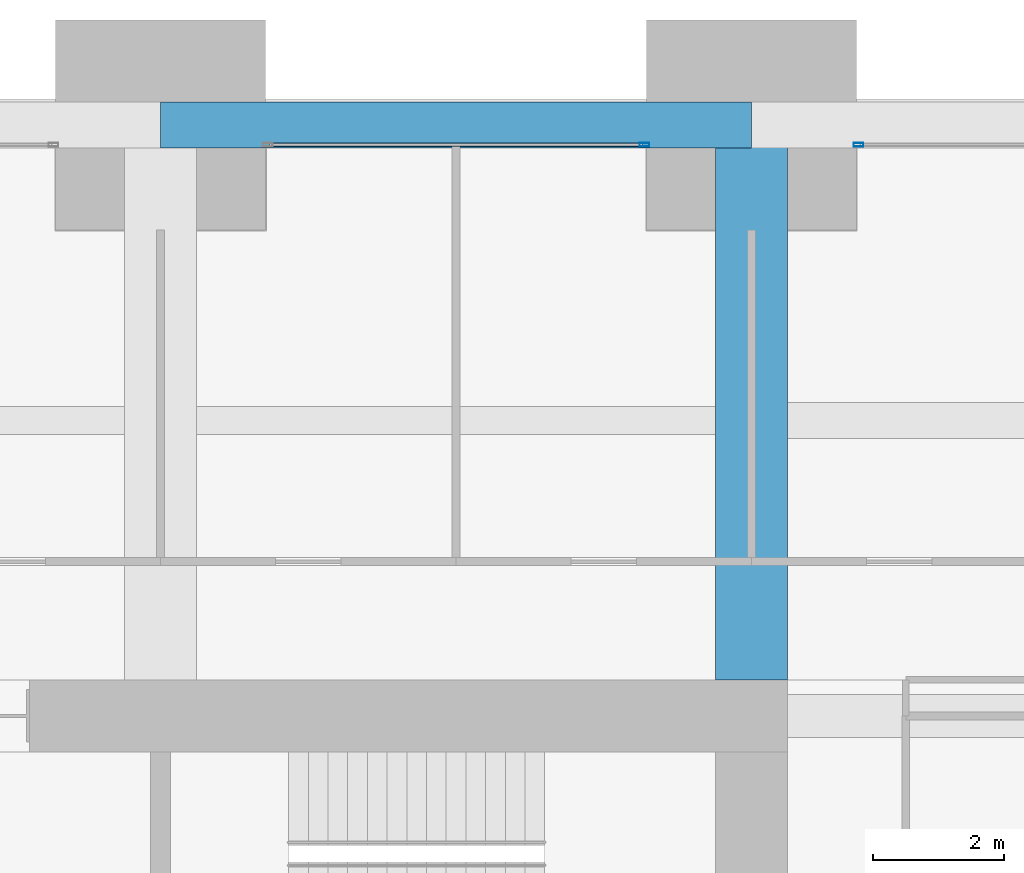
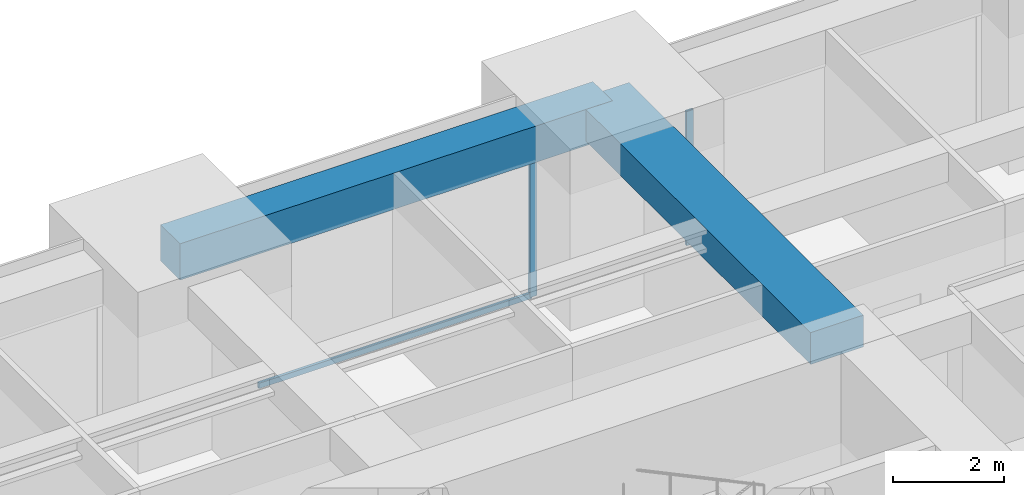
# One storey, part 31 of 41: 3 members, 2 beams, 2 elements without a shape of their own.
"""IFC4 building model written with IfcOpenShell, lengths in metres."""

from ifc_helpers import new_model, si_unit, direction, frame, origin, origin_2d, place, context, subcontext, project, spatial, rectangle, hollow_rectangle, extrude, material, material_profile, profile_set, type_object, element, aggregate, save


model = new_model("IFC4")

# Units and contexts
model_context = context("Model", 3, precision=1e-05, world=origin(), true_north=direction((0.0, 1.0)))
body_context = subcontext(model_context, "Body", "Model", "MODEL_VIEW")
ifc_project = project(units=[si_unit("LENGTHUNIT", "METRE"), si_unit("AREAUNIT", "SQUARE_METRE"), si_unit("VOLUMEUNIT", "CUBIC_METRE"), si_unit("PLANEANGLEUNIT", "RADIAN"), si_unit("MASSUNIT", "GRAM", prefix="KILO")], contexts=[model_context])

# Site, building, storey
site_placement = place(None, origin())
site = spatial("IfcSite", under=ifc_project, at=site_placement, CompositionType="ELEMENT")
building_placement = place(site_placement, origin())
building = spatial("IfcBuilding", under=site, at=building_placement, Name="Zorevar Civic Tower", CompositionType="ELEMENT")
storey_placement = place(building_placement, frame((0.0, 0.0, 89.0)))
storey = spatial("IfcBuildingStorey", under=building, at=storey_placement, Name="L21", CompositionType="ELEMENT", Elevation=89.0)

# Beam
ifc_material_1 = material(Name="Concrete C50/60", Category="concrete")
ifc_material_profile_1 = material_profile(ifc_material_1, rectangle(XDim=1.10009765625, YDim=0.699951171875, at=origin_2d()), Name="RC 1100x700")
ifc_profile_set_1 = profile_set([ifc_material_profile_1], Name="Concrete C50/60")
beam_type_1 = type_object("IfcBeamType", Name="Beam RC 1100x700", PredefinedType="BEAM", material=ifc_profile_set_1)
beam_1_placement = place(storey_placement, frame((45.0, 36.550048828125, 3.39990234375), z_axis=(0.0, 1.0, 0.0), x_axis=(-1.0, 0.0, 0.0)))
element("IfcBeam", 1, at=beam_1_placement, inside=storey, type_object=beam_type_1, Name="Girder L22", PredefinedType="BEAM", context=body_context, shape_type="SweptSolid", body=[
    extrude(rectangle(XDim=1.10009765625, YDim=0.699951171875, at=origin_2d()), origin(), (0.0, 0.0, 1.0), 8.449951171875),
])

# Curtain wall, member
ifc_material_2 = material(Name="Dark grey solar-control glass in black aluminium frame", Category="aluminium")
curtain_wall_type = type_object("IfcCurtainWallType", Name="Curtain wall CW3 mid zone", PredefinedType="NOTDEFINED", material=ifc_material_2)
curtain_wall_1_placement = place(storey_placement, origin())
curtain_wall_1 = element("IfcCurtainWall", 2, at=curtain_wall_1_placement, inside=storey, type_object=curtain_wall_type, Name="CW3 L21", PredefinedType="NOTDEFINED")
ifc_material_3 = material(Name="Aluminium, black anodised", Category="aluminium")
ifc_material_profile_2 = material_profile(ifc_material_3, hollow_rectangle(XDim=0.06005859375, YDim=0.14990234375, WallThickness=0.00390625, at=origin_2d()), Name="AL 150x60x4")
ifc_profile_set_2 = profile_set([ifc_material_profile_2], Name="Aluminium, black anodised")
member_type_1 = type_object("IfcMemberType", Name="CW3 mullion AL 150x60x4", PredefinedType="MULLION", material=ifc_profile_set_2)
member_1_placement = place(storey_placement, frame((43.3701171875, 44.699951171875, 0.0), z_axis=(0.0, 0.0, 1.0), x_axis=(0.0, 1.0, 0.0)))
member_1 = element("IfcMember", 3, at=member_1_placement, type_object=member_type_1, Name="CW3 mullion 2", PredefinedType="MULLION", context=body_context, shape_type="SweptSolid", body=[
    extrude(hollow_rectangle(XDim=0.06005859375, YDim=0.14990234375, WallThickness=0.00390625, at=origin_2d()), origin(), (0.0, 0.0, 1.0), 2.949951171875),
])

curtain_wall_2_placement = place(storey_placement, origin())
curtain_wall_2 = element("IfcCurtainWall", 4, at=curtain_wall_2_placement, inside=storey, type_object=curtain_wall_type, Name="CW3 L21", PredefinedType="NOTDEFINED")
member_2_placement = place(storey_placement, frame((46.6298828125, 44.699951171875, 0.0), z_axis=(0.0, 0.0, 1.0), x_axis=(0.0, 1.0, 0.0)))
member_2 = element("IfcMember", 5, at=member_2_placement, type_object=member_type_1, Name="CW3 mullion 1", PredefinedType="MULLION", context=body_context, shape_type="SweptSolid", body=[
    extrude(hollow_rectangle(XDim=0.06005859375, YDim=0.14990234375, WallThickness=0.00390625, at=origin_2d()), origin(), (0.0, 0.0, 1.0), 2.949951171875),
])
aggregate(curtain_wall_2, [member_2])

# Member
ifc_material_4 = material(Name="Aluminium, black anodised", Category="aluminium")
ifc_material_profile_3 = material_profile(ifc_material_4, hollow_rectangle(XDim=0.06005859375, YDim=0.1201171875, WallThickness=0.0029296875, at=origin_2d()), Name="AL 120x60x3")
ifc_profile_set_3 = profile_set([ifc_material_profile_3], Name="Aluminium, black anodised")
member_type_2 = type_object("IfcMemberType", Name="CW3 transom AL 120x60x3", PredefinedType="USERDEFINED", material=ifc_profile_set_3)
member_3_placement = place(storey_placement, frame((37.659912109375, 44.699951171875, 0.030029296875), z_axis=(1.0, 0.0, 0.0), x_axis=(0.0, 1.0, 0.0)))
member_3 = element("IfcMember", 6, at=member_3_placement, type_object=member_type_2, Name="CW3 sill transom", ObjectType="TRANSOM", PredefinedType="USERDEFINED", context=body_context, shape_type="SweptSolid", body=[
    extrude(hollow_rectangle(XDim=0.06005859375, YDim=0.1201171875, WallThickness=0.0029296875, at=origin_2d()), origin(), (0.0, 0.0, 1.0), 5.68017578125),
])

aggregate(curtain_wall_1, [member_1, member_3])

# Beam
ifc_material_5 = material(Name="Concrete C50/60", Category="concrete")
ifc_material_profile_4 = material_profile(ifc_material_5, rectangle(XDim=0.699951171875, YDim=0.800048828125, at=origin_2d()), Name="RC 700x800")
ifc_profile_set_4 = profile_set([ifc_material_profile_4], Name="Concrete C50/60")
beam_type_2 = type_object("IfcBeamType", Name="Edge beam RC 700x800", PredefinedType="SPANDREL", material=ifc_profile_set_4)
beam_2_placement = place(storey_placement, frame((36.0, 45.0, 3.35009765625), z_axis=(1.0, 0.0, 0.0), x_axis=(0.0, 1.0, 0.0)))
element("IfcBeam", 7, at=beam_2_placement, inside=storey, type_object=beam_type_2, Name="Edge beam L22", PredefinedType="SPANDREL", context=body_context, shape_type="SweptSolid", body=[
    extrude(rectangle(XDim=0.699951171875, YDim=0.800048828125, at=origin_2d()), origin(), (0.0, 0.0, 1.0), 9.0),
])

save(model, "model.ifc")
